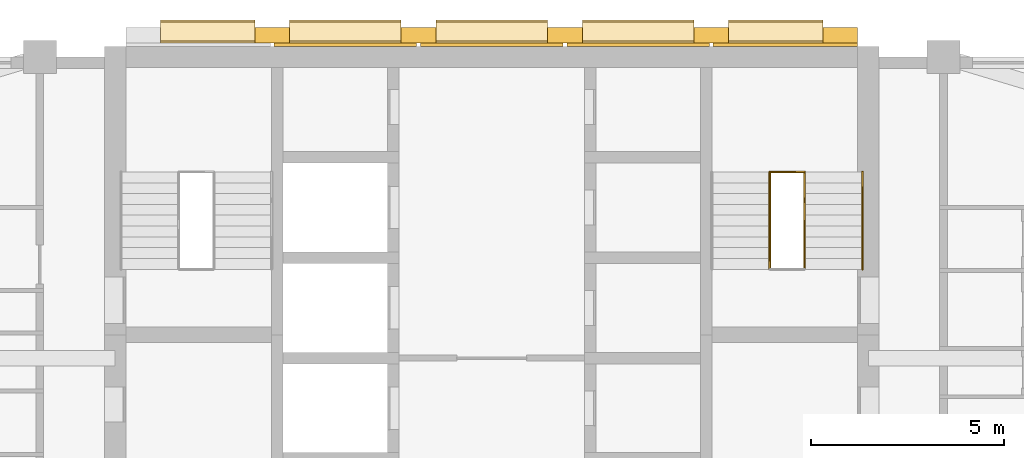
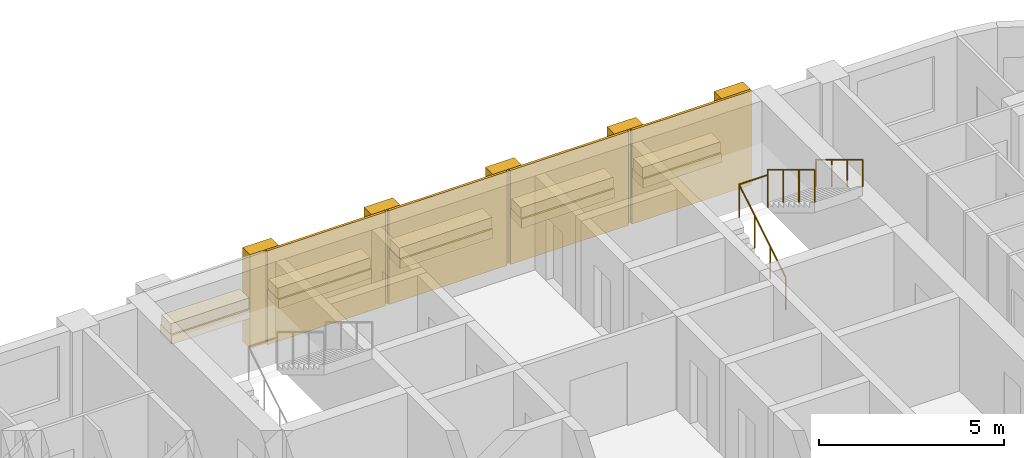
# One storey, part 14 of 14: 19 coverings, 4 railings, 1 element without a shape of its own.
"""IFC4 building model written with IfcOpenShell, lengths in metres."""

from ifc_helpers import new_model, si_unit, direction, frame, origin, origin_2d, place, context, subcontext, project, spatial, rectangle, circle, extrude, material, layer, layer_set, type_object, element, aggregate, save


model = new_model("IFC4")

# Units and contexts
model_context = context("Model", 3, precision=1e-05, world=origin(), true_north=direction((0.0, 1.0)))
body_context = subcontext(model_context, "Body", "Model", "MODEL_VIEW")
ifc_project = project(units=[si_unit("LENGTHUNIT", "METRE"), si_unit("AREAUNIT", "SQUARE_METRE"), si_unit("VOLUMEUNIT", "CUBIC_METRE"), si_unit("PLANEANGLEUNIT", "RADIAN"), si_unit("MASSUNIT", "GRAM", prefix="KILO")], contexts=[model_context])

# Site, building, storey
site_placement = place(None, origin())
site = spatial("IfcSite", under=ifc_project, at=site_placement, CompositionType="ELEMENT")
building_placement = place(site_placement, origin())
building = spatial("IfcBuilding", under=site, at=building_placement, Name="Ludao Terraces", CompositionType="ELEMENT")
storey_placement = place(building_placement, frame((0.0, 0.0, 113.5)))
storey = spatial("IfcBuildingStorey", under=building, at=storey_placement, Name="L31", CompositionType="ELEMENT", Elevation=113.5)

# Coverings
ifc_material_1 = material(Name="Granite cladding", Category="masonry")
ifc_layer_1 = layer(ifc_material_1, 0.39990234375)
ifc_layer_set_1 = layer_set([ifc_layer_1], Name="ENV Core pilaster stone 400")
covering_type_1 = type_object("IfcCoveringType", Name="ENV Core pilaster stone 400", PredefinedType="CLADDING", material=ifc_layer_set_1)
for number, where, z_axis, x_axis, name in (
    (1, (79.31494140625, 85.054931640625, 0.0), (0.0, 0.0, 1.0), (1.0, 0.0, 0.0), "CC-L31-PIL2"),
    (2, (83.10498046875, 85.054931640625, 0.0), (0.0, 0.0, 1.0), (1.0, 0.0, 0.0), "CC-L31-PIL3"),
    (3, (86.89501953125, 85.054931640625, 0.0), (0.0, 0.0, 1.0), (1.0, 0.0, 0.0), "CC-L31-PIL4"),
    (4, (90.68505859375, 85.054931640625, 0.0), (0.0, 0.0, 1.0), (1.0, 0.0, 0.0), "CC-L31-PIL5"),
    (5, (94.02490234375, 85.054931640625, 0.0), (0.0, 0.0, 1.0), (1.0, 0.0, 0.0), "CC-L31-PIL6"),
):
    element("IfcCovering", number, at=place(storey_placement, frame(where, z_axis=z_axis, x_axis=x_axis)), inside=storey, type_object=covering_type_1, Name=name, PredefinedType="CLADDING", context=body_context, shape_type="SweptSolid", body=[
        extrude(rectangle(XDim=0.89990234375, YDim=0.39990234375, at=origin_2d()), origin(), (0.0, 0.0, 1.0), 3.10009765625),
    ])
ifc_layer_2 = layer(ifc_material_1, 0.60009765625)
ifc_layer_set_2 = layer_set([ifc_layer_2], Name="ENV Core planting shelf stone 600")
covering_type_2 = type_object("IfcCoveringType", Name="ENV Core planting shelf stone 600", PredefinedType="CLADDING", material=ifc_layer_set_2)
covering_1_placement = place(storey_placement, frame((77.64501953125, 85.155029296875, 1.0), z_axis=(0.0, 0.0, 1.0), x_axis=(1.0, 0.0, 0.0)))
element("IfcCovering", 6, at=covering_1_placement, inside=storey, type_object=covering_type_2, Name="CC-L31-SHELF1", PredefinedType="CLADDING", context=body_context, shape_type="SweptSolid", body=[
    extrude(rectangle(XDim=2.43994140625, YDim=0.60009765625, at=origin_2d()), origin(), (0.0, 0.0, 1.0), 0.300048828125),
])
for number, where, z_axis, x_axis, name in (
    (7, (81.2099609375, 85.155029296875, 1.0), (0.0, 0.0, 1.0), (1.0, 0.0, 0.0), "CC-L31-SHELF2"),
    (8, (85.0, 85.155029296875, 1.0), (0.0, 0.0, 1.0), (1.0, 0.0, 0.0), "CC-L31-SHELF3"),
    (9, (88.7900390625, 85.155029296875, 1.0), (0.0, 0.0, 1.0), (1.0, 0.0, 0.0), "CC-L31-SHELF4"),
):
    element("IfcCovering", number, at=place(storey_placement, frame(where, z_axis=z_axis, x_axis=x_axis)), inside=storey, type_object=covering_type_2, Name=name, PredefinedType="CLADDING", context=body_context, shape_type="SweptSolid", body=[
        extrude(rectangle(XDim=2.889892578125, YDim=0.60009765625, at=origin_2d()), origin(), (0.0, 0.0, 1.0), 0.300048828125),
    ])
covering_2_placement = place(storey_placement, frame((92.35498046875, 85.155029296875, 1.0), z_axis=(0.0, 0.0, 1.0), x_axis=(1.0, 0.0, 0.0)))
element("IfcCovering", 10, at=covering_2_placement, inside=storey, type_object=covering_type_2, Name="CC-L31-SHELF5", PredefinedType="CLADDING", context=body_context, shape_type="SweptSolid", body=[
    extrude(rectangle(XDim=2.43994140625, YDim=0.60009765625, at=origin_2d()), origin(), (0.0, 0.0, 1.0), 0.300048828125),
])
ifc_layer_3 = layer(ifc_material_1, 0.080078125)
ifc_layer_set_3 = layer_set([ifc_layer_3], Name="ENV Core stone cladding panel 80")
covering_type_3 = type_object("IfcCoveringType", Name="ENV Core stone cladding panel 80", PredefinedType="CLADDING", material=ifc_layer_set_3)
for number, where, z_axis, x_axis, name in (
    (11, (81.2099609375, 84.81494140625, 0.0), (0.0, 0.0, 1.0), (1.0, 0.0, 0.0), "CC-L31-CORE2"),
    (12, (85.0, 84.81494140625, 0.0), (0.0, 0.0, 1.0), (1.0, 0.0, 0.0), "CC-L31-CORE3"),
    (13, (88.7900390625, 84.81494140625, 0.0), (0.0, 0.0, 1.0), (1.0, 0.0, 0.0), "CC-L31-CORE4"),
):
    element("IfcCovering", number, at=place(storey_placement, frame(where, z_axis=z_axis, x_axis=x_axis)), inside=storey, type_object=covering_type_3, Name=name, PredefinedType="CLADDING", context=body_context, shape_type="SweptSolid", body=[
        extrude(rectangle(XDim=3.68994140625, YDim=0.080078125, at=origin_2d()), origin(), (0.0, 0.0, 1.0), 3.10009765625),
    ])
covering_3_placement = place(storey_placement, frame((92.60498046875, 84.81494140625, 0.0), z_axis=(0.0, 0.0, 1.0), x_axis=(1.0, 0.0, 0.0)))
element("IfcCovering", 14, at=covering_3_placement, inside=storey, type_object=covering_type_3, Name="CC-L31-CORE5", PredefinedType="CLADDING", context=body_context, shape_type="SweptSolid", body=[
    extrude(rectangle(XDim=3.739990234375, YDim=0.080078125, at=origin_2d()), origin(), (0.0, 0.0, 1.0), 3.10009765625),
])
ifc_material_2 = material(Name="Planting")
ifc_layer_4 = layer(ifc_material_2, 0.5)
ifc_layer_set_4 = layer_set([ifc_layer_4], Name="ENV Shelf planting bed 350")
covering_type_4 = type_object("IfcCoveringType", Name="ENV Shelf planting bed 350", PredefinedType="USERDEFINED", material=ifc_layer_set_4)
covering_4_placement = place(storey_placement, frame((77.64501953125, 85.155029296875, 1.300048828125), z_axis=(0.0, 0.0, 1.0), x_axis=(1.0, 0.0, 0.0)))
element("IfcCovering", 15, at=covering_4_placement, inside=storey, type_object=covering_type_4, Name="Shelf planting bed L31 1", ObjectType="PLANTING", PredefinedType="USERDEFINED", context=body_context, shape_type="SweptSolid", body=[
    extrude(rectangle(XDim=2.43994140625, YDim=0.5, at=origin_2d()), origin(), (0.0, 0.0, 1.0), 0.35009765625),
])
for number, where, z_axis, x_axis, name in (
    (16, (81.2099609375, 85.155029296875, 1.300048828125), (0.0, 0.0, 1.0), (1.0, 0.0, 0.0), "Shelf planting bed L31 2"),
    (17, (85.0, 85.155029296875, 1.300048828125), (0.0, 0.0, 1.0), (1.0, 0.0, 0.0), "Shelf planting bed L31 3"),
    (18, (88.7900390625, 85.155029296875, 1.300048828125), (0.0, 0.0, 1.0), (1.0, 0.0, 0.0), "Shelf planting bed L31 4"),
):
    element("IfcCovering", number, at=place(storey_placement, frame(where, z_axis=z_axis, x_axis=x_axis)), inside=storey, type_object=covering_type_4, Name=name, ObjectType="PLANTING", PredefinedType="USERDEFINED", context=body_context, shape_type="SweptSolid", body=[
        extrude(rectangle(XDim=2.889892578125, YDim=0.5, at=origin_2d()), origin(), (0.0, 0.0, 1.0), 0.35009765625),
    ])
covering_5_placement = place(storey_placement, frame((92.35498046875, 85.155029296875, 1.300048828125), z_axis=(0.0, 0.0, 1.0), x_axis=(1.0, 0.0, 0.0)))
element("IfcCovering", 19, at=covering_5_placement, inside=storey, type_object=covering_type_4, Name="Shelf planting bed L31 5", ObjectType="PLANTING", PredefinedType="USERDEFINED", context=body_context, shape_type="SweptSolid", body=[
    extrude(rectangle(XDim=2.43994140625, YDim=0.5, at=origin_2d()), origin(), (0.0, 0.0, 1.0), 0.35009765625),
])

# Stair, railings
ifc_material_3 = material(Name="Concrete C40", Category="concrete")
stair_type = type_object("IfcStairType", Name="INT Stair", PredefinedType="HALF_TURN_STAIR", material=ifc_material_3)
stair_placement = place(storey_placement, origin())
stair = element("IfcStair", 20, at=stair_placement, inside=storey, type_object=stair_type, Name="EXIT STAIR 2", PredefinedType="HALF_TURN_STAIR")
ifc_material_4 = material(Name="Stainless steel 304", Category="steel")
railing_type_1 = type_object("IfcRailingType", Name="INT Stair guard 1100", PredefinedType="GUARDRAIL", material=ifc_material_4)
railing_1_placement = place(storey_placement, frame((92.199951171875, 79.0, 0.169921875)))
railing_1 = element("IfcRailing", 21, at=railing_1_placement, type_object=railing_type_1, Name="ST-L31-S2-R1G", PredefinedType="GUARDRAIL", context=body_context, shape_type="SweptSolid", body=[
    extrude(circle(Radius=0.02392578125, at=origin_2d()), frame((0.0, 0.0, 1.076171875), z_axis=(0.0, 0.85478489116, 0.518982456201), x_axis=(-1.0, 0.0, 0.0)), (0.0, 0.0, 1.0), 2.9482421875),
    extrude(circle(Radius=0.02099609375, at=origin_2d()), origin(), (0.0, 0.0, 1.0), 1.052001953125),
    extrude(circle(Radius=0.02099609375, at=origin_2d()), frame((0.0, 0.840087890625, 0.510009765625)), (0.0, 0.0, 1.0), 1.052001953125),
    extrude(circle(Radius=0.02099609375, at=origin_2d()), frame((0.0, 1.679931640625, 1.02001953125)), (0.0, 0.0, 1.0), 1.052001953125),
    extrude(circle(Radius=0.02099609375, at=origin_2d()), frame((0.0, 2.52001953125, 1.530029296875)), (0.0, 0.0, 1.0), 1.052001953125),
])
railing_2_placement = place(storey_placement, frame((93.10009765625, 81.52001953125, 1.8701171875)))
railing_2 = element("IfcRailing", 22, at=railing_2_placement, type_object=railing_type_1, Name="ST-L31-S2-R2G", PredefinedType="GUARDRAIL", context=body_context, shape_type="SweptSolid", body=[
    extrude(circle(Radius=0.02392578125, at=origin_2d()), frame((0.0, 0.0, 1.076171875), z_axis=(0.0, -0.854821627497, 0.518921945155), x_axis=(1.0, 0.0, 0.0)), (0.0, 0.0, 1.0), 2.947998046875),
    extrude(circle(Radius=0.02099609375, at=origin_2d()), origin(), (0.0, 0.0, 1.0), 1.052001953125),
    extrude(circle(Radius=0.02099609375, at=origin_2d()), frame((0.0, -0.840087890625, 0.510009765625)), (0.0, 0.0, 1.0), 1.052001953125),
    extrude(circle(Radius=0.02099609375, at=origin_2d()), frame((0.0, -1.679931640625, 1.019775390625)), (0.0, 0.0, 1.0), 1.052001953125),
    extrude(circle(Radius=0.02099609375, at=origin_2d()), frame((0.0, -2.52001953125, 1.52978515625)), (0.0, 0.0, 1.0), 1.052001953125),
])
railing_3_placement = place(storey_placement, frame((92.199951171875, 81.52001953125, 1.699951171875)))
railing_3 = element("IfcRailing", 23, at=railing_3_placement, type_object=railing_type_1, Name="ST-L31-S2-E1G", PredefinedType="GUARDRAIL", context=body_context, shape_type="SweptSolid", body=[
    extrude(circle(Radius=0.02392578125, at=origin_2d()), frame((0.0, 0.0, 1.076171875), z_axis=(1.0, 0.0, 0.0), x_axis=(0.0, 1.0, 0.0)), (0.0, 0.0, 1.0), 0.900146484375),
    extrude(circle(Radius=0.02099609375, at=origin_2d()), origin(), (0.0, 0.0, 1.0), 1.052001953125),
    extrude(circle(Radius=0.02099609375, at=origin_2d()), frame((0.900146484375, 0.0, 0.0)), (0.0, 0.0, 1.0), 1.052001953125),
])
railing_type_2 = type_object("IfcRailingType", Name="INT Stair handrail 900", PredefinedType="HANDRAIL", material=ifc_material_4)
railing_4_placement = place(storey_placement, frame((94.60009765625, 81.52001953125, 1.8701171875)))
railing_4 = element("IfcRailing", 24, at=railing_4_placement, type_object=railing_type_2, Name="ST-L31-S2-R2H", PredefinedType="HANDRAIL", context=body_context, shape_type="SweptSolid", body=[
    extrude(circle(Radius=0.02392578125, at=origin_2d()), frame((0.0, 0.0, 0.8759765625), z_axis=(0.0, -0.854821627497, 0.518921945155), x_axis=(1.0, 0.0, 0.0)), (0.0, 0.0, 1.0), 2.947998046875),
    extrude(circle(Radius=0.02099609375, at=origin_2d()), origin(), (0.0, 0.0, 1.0), 0.851806640625),
    extrude(circle(Radius=0.02099609375, at=origin_2d()), frame((0.0, -0.840087890625, 0.510009765625)), (0.0, 0.0, 1.0), 0.851806640625),
    extrude(circle(Radius=0.02099609375, at=origin_2d()), frame((0.0, -1.679931640625, 1.019775390625)), (0.0, 0.0, 1.0), 0.851806640625),
    extrude(circle(Radius=0.02099609375, at=origin_2d()), frame((0.0, -2.52001953125, 1.52978515625)), (0.0, 0.0, 1.0), 0.851806640625),
])
aggregate(stair, [railing_1, railing_2, railing_4, railing_3])

save(model, "model.ifc")
